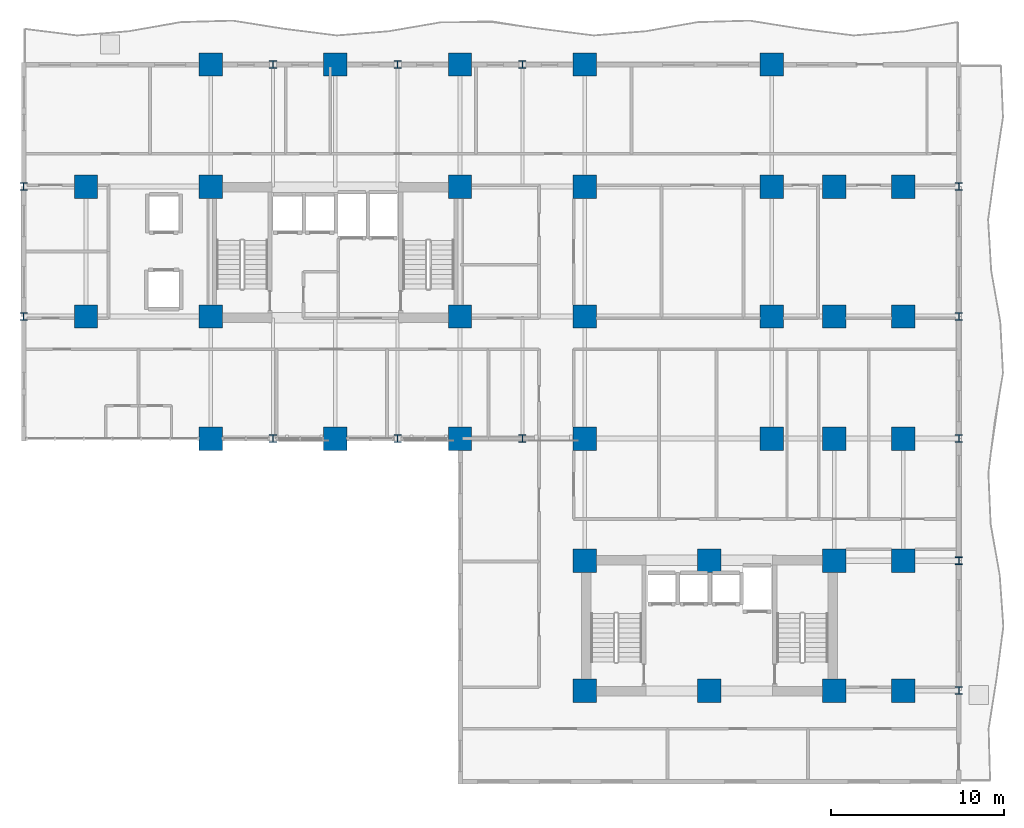
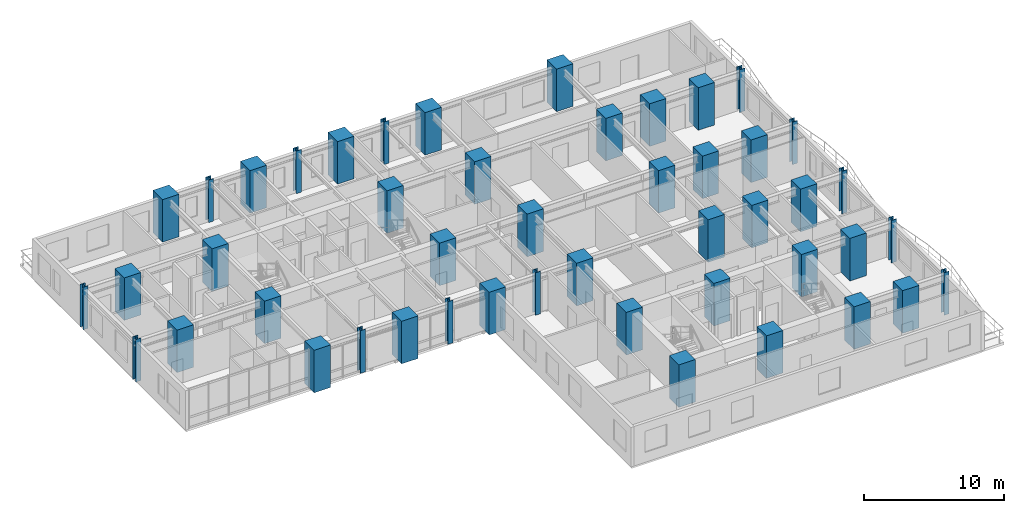
# One storey, part 1 of 16: 47 columns.
"""IFC4 building model written with IfcOpenShell, lengths in metres."""

from ifc_helpers import new_model, si_unit, direction, frame, origin, origin_2d, place, context, subcontext, project, spatial, rectangle, i_section, extrude, source, transform, mapped, material, material_profile, profile_set, type_object, element, save


model = new_model("IFC4")

# Units and contexts
model_context = context("Model", 3, precision=1e-05, world=origin(), true_north=direction((0.0, 1.0)))
body_context = subcontext(model_context, "Body", "Model", "MODEL_VIEW")
ifc_project = project(units=[si_unit("LENGTHUNIT", "METRE"), si_unit("AREAUNIT", "SQUARE_METRE"), si_unit("VOLUMEUNIT", "CUBIC_METRE"), si_unit("PLANEANGLEUNIT", "RADIAN"), si_unit("MASSUNIT", "GRAM", prefix="KILO")], contexts=[model_context])

# Site, building, storey
site_placement = place(None, origin())
site = spatial("IfcSite", under=ifc_project, at=site_placement, CompositionType="ELEMENT")
building_placement = place(site_placement, origin())
building = spatial("IfcBuilding", under=site, at=building_placement, Name="Kaliganga Portal Commons", CompositionType="ELEMENT")
storey_placement = place(building_placement, frame((0.0, 0.0, 29.0)))
storey = spatial("IfcBuildingStorey", under=building, at=storey_placement, Name="L06", CompositionType="ELEMENT", Elevation=29.0)

# Columns
ifc_material_1 = material(Name="Concrete C70/85", Category="concrete")
ifc_material_profile_1 = material_profile(ifc_material_1, rectangle(XDim=1.35009765625, YDim=1.35009765625, at=origin_2d()), Name="RC 1350x1350")
ifc_profile_set_1 = profile_set([ifc_material_profile_1], Name="Concrete C70/85")
column_type_1 = type_object("IfcColumnType", Name="COL-MEGA-Z1", PredefinedType="COLUMN", material=ifc_profile_set_1)
shared_shape_1 = source(origin(), body_context, "Body", "SweptSolid", [
    extrude(rectangle(XDim=1.35009765625, YDim=1.35009765625, at=origin_2d()), origin(), (0.0, 0.0, 1.0), 3.699951171875),
])
for number, where, z_axis, x_axis, name in (
    (1, (7.199951171875, 28.64990234375, 0.0), (0.0, 0.0, 1.0), (1.0, 0.0, 0.0), "Column MC-02 L06"),
    (2, (7.199951171875, 36.14990234375, 0.0), (0.0, 0.0, 1.0), (1.0, 0.0, 0.0), "Column MC-02 L06"),
    (3, (14.39990234375, 21.60009765625, 0.0), (0.0, 0.0, 1.0), (1.0, 0.0, 0.0), "Column MC-02 L06"),
    (4, (14.39990234375, 28.64990234375, 0.0), (0.0, 0.0, 1.0), (1.0, 0.0, 0.0), "Column MC-02 L06"),
    (5, (14.39990234375, 36.14990234375, 0.0), (0.0, 0.0, 1.0), (1.0, 0.0, 0.0), "Column MC-02 L06"),
    (6, (14.39990234375, 43.199951171875, 0.0), (0.0, 0.0, 1.0), (1.0, 0.0, 0.0), "Column MC-02 L06"),
    (7, (21.60009765625, 21.60009765625, 0.0), (0.0, 0.0, 1.0), (1.0, 0.0, 0.0), "Column MC-02 L06"),
    (8, (21.60009765625, 43.199951171875, 0.0), (0.0, 0.0, 1.0), (1.0, 0.0, 0.0), "Column MC-02 L06"),
    (9, (28.800048828125, 21.60009765625, 0.0), (0.0, 0.0, 1.0), (1.0, 0.0, 0.0), "Column MC-02 L06"),
    (10, (28.800048828125, 28.64990234375, 0.0), (0.0, 0.0, 1.0), (1.0, 0.0, 0.0), "Column MC-02 L06"),
    (11, (28.800048828125, 36.14990234375, 0.0), (0.0, 0.0, 1.0), (1.0, 0.0, 0.0), "Column MC-02 L06"),
    (12, (28.800048828125, 43.199951171875, 0.0), (0.0, 0.0, 1.0), (1.0, 0.0, 0.0), "Column MC-02 L06"),
    (13, (36.0, 21.60009765625, 0.0), (0.0, 0.0, 1.0), (1.0, 0.0, 0.0), "Column MC-02 L06"),
    (14, (36.0, 43.199951171875, 0.0), (0.0, 0.0, 1.0), (1.0, 0.0, 0.0), "Column MC-02 L06"),
    (15, (36.0, 28.64990234375, 0.0), (0.0, 0.0, 1.0), (1.0, 0.0, 0.0), "Column MC-02 L06"),
    (16, (36.0, 36.14990234375, 0.0), (0.0, 0.0, 1.0), (1.0, 0.0, 0.0), "Column MC-02 L06"),
    (17, (46.800048828125, 21.60009765625, 0.0), (0.0, 0.0, 1.0), (1.0, 0.0, 0.0), "Column MC-02 L06"),
    (18, (46.800048828125, 28.64990234375, 0.0), (0.0, 0.0, 1.0), (1.0, 0.0, 0.0), "Column MC-02 L06"),
    (19, (46.800048828125, 36.14990234375, 0.0), (0.0, 0.0, 1.0), (1.0, 0.0, 0.0), "Column MC-02 L06"),
    (20, (46.800048828125, 43.199951171875, 0.0), (0.0, 0.0, 1.0), (1.0, 0.0, 0.0), "Column MC-02 L06"),
    (21, (36.0, 7.050048828125, 0.0), (0.0, 0.0, 1.0), (1.0, 0.0, 0.0), "Column MC-02 L06"),
    (22, (36.0, 14.550048828125, 0.0), (0.0, 0.0, 1.0), (1.0, 0.0, 0.0), "Column MC-02 L06"),
    (23, (43.199951171875, 7.050048828125, 0.0), (0.0, 0.0, 1.0), (1.0, 0.0, 0.0), "Column MC-02 L06"),
    (24, (43.199951171875, 14.550048828125, 0.0), (0.0, 0.0, 1.0), (1.0, 0.0, 0.0), "Column MC-02 L06"),
    (25, (50.39990234375, 7.050048828125, 0.0), (0.0, 0.0, 1.0), (1.0, 0.0, 0.0), "Column MC-02 L06"),
    (26, (50.39990234375, 14.550048828125, 0.0), (0.0, 0.0, 1.0), (1.0, 0.0, 0.0), "Column MC-02 L06"),
    (27, (50.39990234375, 21.60009765625, 0.0), (0.0, 0.0, 1.0), (1.0, 0.0, 0.0), "Column MC-02 L06"),
    (28, (50.39990234375, 28.64990234375, 0.0), (0.0, 0.0, 1.0), (1.0, 0.0, 0.0), "Column MC-02 L06"),
    (29, (50.39990234375, 36.14990234375, 0.0), (0.0, 0.0, 1.0), (1.0, 0.0, 0.0), "Column MC-02 L06"),
    (30, (54.39990234375, 7.050048828125, 0.0), (0.0, 0.0, 1.0), (1.0, 0.0, 0.0), "Column MC-02 L06"),
    (31, (54.39990234375, 14.550048828125, 0.0), (0.0, 0.0, 1.0), (1.0, 0.0, 0.0), "Column MC-02 L06"),
    (32, (54.39990234375, 21.60009765625, 0.0), (0.0, 0.0, 1.0), (1.0, 0.0, 0.0), "Column MC-02 L06"),
    (33, (54.39990234375, 28.64990234375, 0.0), (0.0, 0.0, 1.0), (1.0, 0.0, 0.0), "Column MC-02 L06"),
    (34, (54.39990234375, 36.14990234375, 0.0), (0.0, 0.0, 1.0), (1.0, 0.0, 0.0), "Column MC-02 L06"),
):
    element("IfcColumn", number, at=place(storey_placement, frame(where, z_axis=z_axis, x_axis=x_axis)), inside=storey, type_object=column_type_1, Name=name, PredefinedType="COLUMN", context=body_context, shape_type="MappedRepresentation", body=[
        mapped(shared_shape_1, transform((0.0, 0.0, 0.0), x_axis=(1.0, 0.0, 0.0), y_axis=(0.0, 1.0, 0.0), z_axis=(0.0, 0.0, 1.0), scale=1.0)),
    ])
ifc_material_2 = material(Name="Structural steel S460M", Category="steel")
ifc_material_profile_2 = material_profile(ifc_material_2, i_section(OverallWidth=0.416015625, OverallDepth=0.446044921875, WebThickness=0.029052734375, FlangeThickness=0.0400390625, FilletRadius=0.014892578125, at=origin_2d()), Name="HD 400x509")
ifc_profile_set_2 = profile_set([ifc_material_profile_2], Name="Structural steel S460M wide-flange")
column_type_2 = type_object("IfcColumnType", Name="COL-TUBE-B1", PredefinedType="COLUMN", material=ifc_profile_set_2)
shared_shape_2 = source(origin(), body_context, "Body", "SweptSolid", [
    extrude(i_section(OverallWidth=0.416015625, OverallDepth=0.446044921875, WebThickness=0.029052734375, FlangeThickness=0.0400390625, FilletRadius=0.014892578125, at=origin_2d()), origin(), (0.0, 0.0, 1.0), 3.699951171875),
])
for number, where, z_axis, x_axis, name in (
    (35, (3.60009765625, 28.64990234375, 0.0), (0.0, 0.0, 1.0), (1.0, 0.0, 0.0), "Column TC-01 L06"),
    (36, (3.60009765625, 36.14990234375, 0.0), (0.0, 0.0, 1.0), (1.0, 0.0, 0.0), "Column TC-01 L06"),
    (37, (18.0, 21.60009765625, 0.0), (0.0, 0.0, 1.0), (1.0, 0.0, 0.0), "Column TC-01 L06"),
    (38, (18.0, 43.199951171875, 0.0), (0.0, 0.0, 1.0), (1.0, 0.0, 0.0), "Column TC-01 L06"),
    (39, (25.199951171875, 21.60009765625, 0.0), (0.0, 0.0, 1.0), (1.0, 0.0, 0.0), "Column TC-01 L06"),
    (40, (25.199951171875, 43.199951171875, 0.0), (0.0, 0.0, 1.0), (1.0, 0.0, 0.0), "Column TC-01 L06"),
    (41, (32.39990234375, 21.60009765625, 0.0), (0.0, 0.0, 1.0), (1.0, 0.0, 0.0), "Column TC-01 L06"),
    (42, (32.39990234375, 43.199951171875, 0.0), (0.0, 0.0, 1.0), (1.0, 0.0, 0.0), "Column TC-01 L06"),
    (43, (57.60009765625, 7.050048828125, 0.0), (0.0, 0.0, 1.0), (1.0, 0.0, 0.0), "Column TC-01 L06"),
    (44, (57.60009765625, 14.550048828125, 0.0), (0.0, 0.0, 1.0), (1.0, 0.0, 0.0), "Column TC-01 L06"),
    (45, (57.60009765625, 21.60009765625, 0.0), (0.0, 0.0, 1.0), (1.0, 0.0, 0.0), "Column TC-01 L06"),
    (46, (57.60009765625, 28.64990234375, 0.0), (0.0, 0.0, 1.0), (1.0, 0.0, 0.0), "Column TC-01 L06"),
    (47, (57.60009765625, 36.14990234375, 0.0), (0.0, 0.0, 1.0), (1.0, 0.0, 0.0), "Column TC-01 L06"),
):
    element("IfcColumn", number, at=place(storey_placement, frame(where, z_axis=z_axis, x_axis=x_axis)), inside=storey, type_object=column_type_2, Name=name, PredefinedType="COLUMN", context=body_context, shape_type="MappedRepresentation", body=[
        mapped(shared_shape_2, transform((0.0, 0.0, 0.0), x_axis=(1.0, 0.0, 0.0), y_axis=(0.0, 1.0, 0.0), z_axis=(0.0, 0.0, 1.0), scale=1.0)),
    ])

save(model, "model.ifc")
